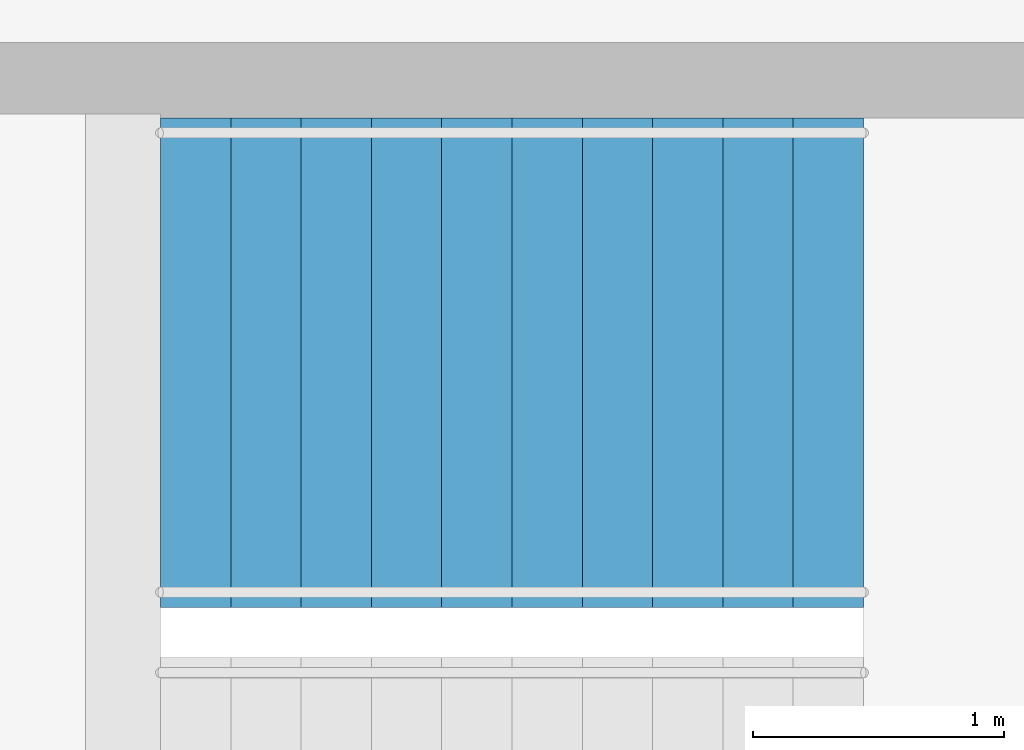
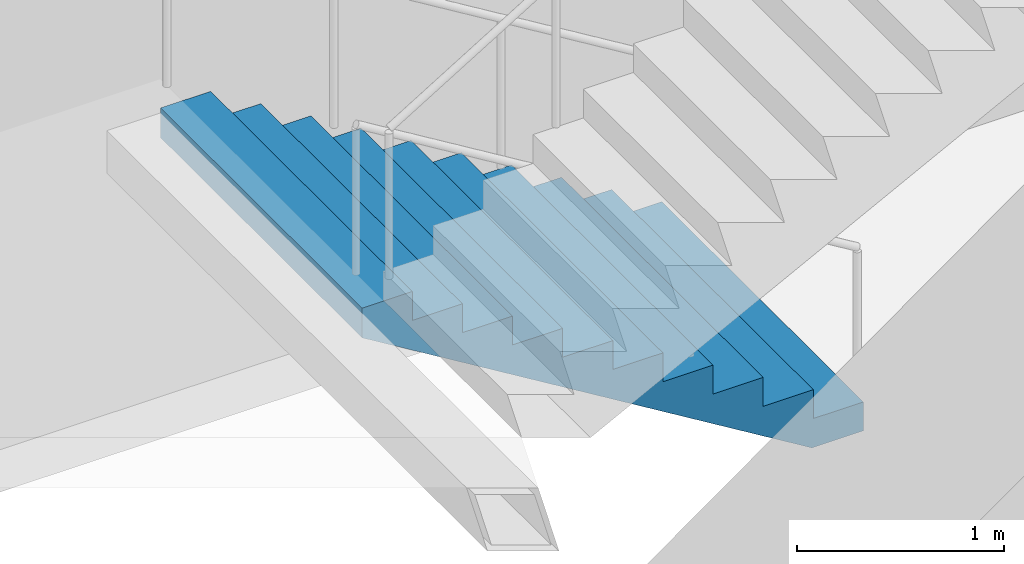
# One storey, part 22 of 23: 1 stair flight, 1 element without a shape of its own.
"""IFC4 building model written with IfcOpenShell, lengths in metres."""

from ifc_helpers import new_model, si_unit, direction, frame, origin, place, context, subcontext, project, spatial, triangles, material, type_object, element, aggregate, save


model = new_model("IFC4")

# Units and contexts
model_context = context("Model", 3, precision=1e-05, world=origin(), true_north=direction((0.0, 1.0)))
body_context = subcontext(model_context, "Body", "Model", "MODEL_VIEW")
ifc_project = project(units=[si_unit("LENGTHUNIT", "METRE"), si_unit("AREAUNIT", "SQUARE_METRE"), si_unit("VOLUMEUNIT", "CUBIC_METRE"), si_unit("PLANEANGLEUNIT", "RADIAN"), si_unit("MASSUNIT", "GRAM", prefix="KILO")], contexts=[model_context])

# Site, building, storey
site_placement = place(None, origin())
site = spatial("IfcSite", under=ifc_project, at=site_placement, CompositionType="ELEMENT")
building_placement = place(site_placement, origin())
building = spatial("IfcBuilding", under=site, at=building_placement, Name="Orbita Commons", CompositionType="ELEMENT")
storey_placement = place(building_placement, frame((0.0, 0.0, 220.300048828125)))
storey = spatial("IfcBuildingStorey", under=building, at=storey_placement, Name="L54", CompositionType="ELEMENT", Elevation=220.300048828125)

# Stair, stair flight
ifc_material_1 = material(Name="Precast concrete C40/50", Category="concrete")
stair_type = type_object("IfcStairType", Name="Exit stair S2 2 flights 11 risers 170", PredefinedType="HALF_TURN_STAIR", material=ifc_material_1)
stair_placement = place(storey_placement, origin())
stair = element("IfcStair", 1, at=stair_placement, inside=storey, type_object=stair_type, Name="Exit stair S2 L54", PredefinedType="HALF_TURN_STAIR")
ifc_material_2 = material(Name="Precast concrete C40/50", Category="concrete")
stair_flight_type = type_object("IfcStairFlightType", Name="Stair flight 11 risers 170 x 280", PredefinedType="STRAIGHT", material=ifc_material_2)
stair_flight_placement = place(storey_placement, frame((63.550048828125, 29.27490234375, 0.0), z_axis=(0.0, 0.0, 1.0), x_axis=(-1.0, 0.0, 0.0)))
stair_flight = element("IfcStairFlight", 2, at=stair_flight_placement, type_object=stair_flight_type, Name="S2 flight 1", NumberOfRisers=11, NumberOfTreads=10, PredefinedType="STRAIGHT", RiserHeight=0.170454545, TreadLength=0.28, context=body_context, shape_type="Tessellation", body=[
    triangles([(0.0, 0.974976, 0.0), (0.0, 0.974976, 0.021307), (0.0, 0.81248, 0.021307), (0.0, 0.81248, 0.0), (0.0, 0.649984, 0.021307), (0.0, 0.649984, 0.0), (0.0, 0.487488, 0.021307), (0.0, 0.487488, 0.0), (0.0, 0.324992, 0.021307), (0.0, 0.324992, 0.0), (0.0, 0.162496, 0.021307), (0.0, 0.162496, 0.0), (0.0, 0.0, 0.021307), (0.0, 0.0, 0.0), (0.0, -0.162496, 0.021307), (0.0, -0.162496, 0.0), (0.0, -0.324992, 0.021307), (0.0, -0.324992, 0.0), (0.0, -0.487488, 0.021307), (0.0, -0.487488, 0.0), (0.0, -0.649984, 0.021307), (0.0, -0.649984, 0.0), (0.0, -0.81248, 0.021307), (0.0, -0.81248, 0.0), (0.0, -0.974976, 0.021307), (0.0, -0.974976, 0.0), (0.0, 0.974976, 0.042614), (0.0, 0.81248, 0.042614), (0.0, 0.649984, 0.042614), (0.0, 0.487488, 0.042614), (0.0, 0.324992, 0.042614), (0.0, 0.162496, 0.042614), (0.0, 0.0, 0.042614), (0.0, -0.162496, 0.042614), (0.0, -0.324992, 0.042614), (0.0, -0.487488, 0.042614), (0.0, -0.649984, 0.042614), (0.0, -0.81248, 0.042614), (0.0, -0.974976, 0.042614), (0.0, 0.974976, 0.06392), (0.0, 0.81248, 0.06392), (0.0, 0.649984, 0.06392), (0.0, 0.487488, 0.06392), (0.0, 0.324992, 0.06392), (0.0, 0.162496, 0.06392), (0.0, 0.0, 0.06392), (0.0, -0.162496, 0.06392), (0.0, -0.324992, 0.06392), (0.0, -0.487488, 0.06392), (0.0, -0.649984, 0.06392), (0.0, -0.81248, 0.06392), (0.0, -0.974976, 0.06392), (0.0, 0.974976, 0.085227), (0.0, 0.81248, 0.085227), (0.0, 0.649984, 0.085227), (0.0, 0.487488, 0.085227), (0.0, 0.324992, 0.085227), (0.0, 0.162496, 0.085227), (0.0, 0.0, 0.085227), (0.0, -0.162496, 0.085227), (0.0, -0.324992, 0.085227), (0.0, -0.487488, 0.085227), (0.0, -0.649984, 0.085227), (0.0, -0.81248, 0.085227), (0.0, -0.974976, 0.085227), (0.0, 0.974976, 0.106534), (0.0, 0.81248, 0.106534), (0.0, 0.649984, 0.106534), (0.0, 0.487488, 0.106534), (0.0, 0.324992, 0.106534), (0.0, 0.162496, 0.106534), (0.0, 0.0, 0.106534), (0.0, -0.162496, 0.106534), (0.0, -0.324992, 0.106534), (0.0, -0.487488, 0.106534), (0.0, -0.649984, 0.106534), (0.0, -0.81248, 0.106534), (0.0, -0.974976, 0.106534), (0.0, 0.974976, 0.127841), (0.0, 0.81248, 0.127841), (0.0, 0.649984, 0.127841), (0.0, 0.487488, 0.127841), (0.0, 0.324992, 0.127841), (0.0, 0.162496, 0.127841), (0.0, 0.0, 0.127841), (0.0, -0.162496, 0.127841), (0.0, -0.324992, 0.127841), (0.0, -0.487488, 0.127841), (0.0, -0.649984, 0.127841), (0.0, -0.81248, 0.127841), (0.0, -0.974976, 0.127841), (0.0, 0.974976, 0.149148), (0.0, 0.81248, 0.149148), (0.0, 0.649984, 0.149148), (0.0, 0.487488, 0.149148), (0.0, 0.324992, 0.149148), (0.0, 0.162496, 0.149148), (0.0, 0.0, 0.149148), (0.0, -0.162496, 0.149148), (0.0, -0.324992, 0.149148), (0.0, -0.487488, 0.149148), (0.0, -0.649984, 0.149148), (0.0, -0.81248, 0.149148), (0.0, -0.974976, 0.149148), (0.0, 0.974976, 0.170455), (0.0, 0.81248, 0.170455), (0.0, 0.649984, 0.170455), (0.0, 0.487488, 0.170455), (0.0, 0.324992, 0.170455), (0.0, 0.162496, 0.170455), (0.0, 0.0, 0.170455), (0.0, -0.162496, 0.170455), (0.0, -0.324992, 0.170455), (0.0, -0.487488, 0.170455), (0.0, -0.649984, 0.170455), (0.0, -0.81248, 0.170455), (0.0, -0.974976, 0.170455), (0.28, 0.974976, 0.170455), (0.28, 0.81248, 0.170455), (0.28, 0.649984, 0.170455), (0.28, 0.487488, 0.170455), (0.28, 0.324992, 0.170455), (0.28, 0.162496, 0.170455), (0.28, 0.0, 0.170455), (0.28, -0.162496, 0.170455), (0.28, -0.324992, 0.170455), (0.28, -0.487488, 0.170455), (0.28, -0.649984, 0.170455), (0.28, -0.81248, 0.170455), (0.28, -0.974976, 0.170455), (0.28, 0.974976, 0.340909), (0.28, 0.81248, 0.340909), (0.28, 0.649984, 0.340909), (0.28, 0.487488, 0.340909), (0.28, 0.324992, 0.340909), (0.28, 0.162496, 0.340909), (0.28, 0.0, 0.340909), (0.28, -0.162496, 0.340909), (0.28, -0.324992, 0.340909), (0.28, -0.487488, 0.340909), (0.28, -0.649984, 0.340909), (0.28, -0.81248, 0.340909), (0.28, -0.974976, 0.340909), (0.56, 0.974976, 0.340909), (0.56, 0.81248, 0.340909), (0.56, 0.649984, 0.340909), (0.56, 0.487488, 0.340909), (0.56, 0.324992, 0.340909), (0.56, 0.162496, 0.340909), (0.56, 0.0, 0.340909), (0.56, -0.162496, 0.340909), (0.56, -0.324992, 0.340909), (0.56, -0.487488, 0.340909), (0.56, -0.649984, 0.340909), (0.56, -0.81248, 0.340909), (0.56, -0.974976, 0.340909), (0.56, 0.974976, 0.511364), (0.56, 0.81248, 0.511364), (0.56, 0.649984, 0.511364), (0.56, 0.487488, 0.511364), (0.56, 0.324992, 0.511364), (0.56, 0.162496, 0.511364), (0.56, 0.0, 0.511364), (0.56, -0.162496, 0.511364), (0.56, -0.324992, 0.511364), (0.56, -0.487488, 0.511364), (0.56, -0.649984, 0.511364), (0.56, -0.81248, 0.511364), (0.56, -0.974976, 0.511364), (0.84, 0.974976, 0.511364), (0.84, 0.81248, 0.511364), (0.84, 0.649984, 0.511364), (0.84, 0.487488, 0.511364), (0.84, 0.324992, 0.511364), (0.84, 0.162496, 0.511364), (0.84, 0.0, 0.511364), (0.84, -0.162496, 0.511364), (0.84, -0.324992, 0.511364), (0.84, -0.487488, 0.511364), (0.84, -0.649984, 0.511364), (0.84, -0.81248, 0.511364), (0.84, -0.974976, 0.511364), (0.84, 0.974976, 0.681818), (0.84, 0.81248, 0.681818), (0.84, 0.649984, 0.681818), (0.84, 0.487488, 0.681818), (0.84, 0.324992, 0.681818), (0.84, 0.162496, 0.681818), (0.84, 0.0, 0.681818), (0.84, -0.162496, 0.681818), (0.84, -0.324992, 0.681818), (0.84, -0.487488, 0.681818), (0.84, -0.649984, 0.681818), (0.84, -0.81248, 0.681818), (0.84, -0.974976, 0.681818), (1.12, 0.974976, 0.681818), (1.12, 0.81248, 0.681818), (1.12, 0.649984, 0.681818), (1.12, 0.487488, 0.681818), (1.12, 0.324992, 0.681818), (1.12, 0.162496, 0.681818), (1.12, 0.0, 0.681818), (1.12, -0.162496, 0.681818), (1.12, -0.324992, 0.681818), (1.12, -0.487488, 0.681818), (1.12, -0.649984, 0.681818), (1.12, -0.81248, 0.681818), (1.12, -0.974976, 0.681818), (1.12, 0.974976, 0.852273), (1.12, 0.81248, 0.852273), (1.12, 0.649984, 0.852273), (1.12, 0.487488, 0.852273), (1.12, 0.324992, 0.852273), (1.12, 0.162496, 0.852273), (1.12, 0.0, 0.852273), (1.12, -0.162496, 0.852273), (1.12, -0.324992, 0.852273), (1.12, -0.487488, 0.852273), (1.12, -0.649984, 0.852273), (1.12, -0.81248, 0.852273), (1.12, -0.974976, 0.852273), (1.4, 0.974976, 0.852273), (1.4, 0.81248, 0.852273), (1.4, 0.649984, 0.852273), (1.4, 0.487488, 0.852273), (1.4, 0.324992, 0.852273), (1.4, 0.162496, 0.852273), (1.4, 0.0, 0.852273), (1.4, -0.162496, 0.852273), (1.4, -0.324992, 0.852273), (1.4, -0.487488, 0.852273), (1.4, -0.649984, 0.852273), (1.4, -0.81248, 0.852273), (1.4, -0.974976, 0.852273), (1.4, 0.974976, 1.022727), (1.4, 0.81248, 1.022727), (1.4, 0.649984, 1.022727), (1.4, 0.487488, 1.022727), (1.4, 0.324992, 1.022727), (1.4, 0.162496, 1.022727), (1.4, 0.0, 1.022727), (1.4, -0.162496, 1.022727), (1.4, -0.324992, 1.022727), (1.4, -0.487488, 1.022727), (1.4, -0.649984, 1.022727), (1.4, -0.81248, 1.022727), (1.4, -0.974976, 1.022727), (1.68, 0.974976, 1.022727), (1.68, 0.81248, 1.022727), (1.68, 0.649984, 1.022727), (1.68, 0.487488, 1.022727), (1.68, 0.324992, 1.022727), (1.68, 0.162496, 1.022727), (1.68, 0.0, 1.022727), (1.68, -0.162496, 1.022727), (1.68, -0.324992, 1.022727), (1.68, -0.487488, 1.022727), (1.68, -0.649984, 1.022727), (1.68, -0.81248, 1.022727), (1.68, -0.974976, 1.022727), (1.68, 0.974976, 1.193182), (1.68, 0.81248, 1.193182), (1.68, 0.649984, 1.193182), (1.68, 0.487488, 1.193182), (1.68, 0.324992, 1.193182), (1.68, 0.162496, 1.193182), (1.68, 0.0, 1.193182), (1.68, -0.162496, 1.193182), (1.68, -0.324992, 1.193182), (1.68, -0.487488, 1.193182), (1.68, -0.649984, 1.193182), (1.68, -0.81248, 1.193182), (1.68, -0.974976, 1.193182), (1.96, 0.974976, 1.193182), (1.96, 0.81248, 1.193182), (1.96, 0.649984, 1.193182), (1.96, 0.487488, 1.193182), (1.96, 0.324992, 1.193182), (1.96, 0.162496, 1.193182), (1.96, 0.0, 1.193182), (1.96, -0.162496, 1.193182), (1.96, -0.324992, 1.193182), (1.96, -0.487488, 1.193182), (1.96, -0.649984, 1.193182), (1.96, -0.81248, 1.193182), (1.96, -0.974976, 1.193182), (1.96, 0.974976, 1.363636), (1.96, 0.81248, 1.363636), (1.96, 0.649984, 1.363636), (1.96, 0.487488, 1.363636), (1.96, 0.324992, 1.363636), (1.96, 0.162496, 1.363636), (1.96, 0.0, 1.363636), (1.96, -0.162496, 1.363636), (1.96, -0.324992, 1.363636), (1.96, -0.487488, 1.363636), (1.96, -0.649984, 1.363636), (1.96, -0.81248, 1.363636), (1.96, -0.974976, 1.363636), (2.24, 0.974976, 1.363636), (2.24, 0.81248, 1.363636), (2.24, 0.649984, 1.363636), (2.24, 0.487488, 1.363636), (2.24, 0.324992, 1.363636), (2.24, 0.162496, 1.363636), (2.24, 0.0, 1.363636), (2.24, -0.162496, 1.363636), (2.24, -0.324992, 1.363636), (2.24, -0.487488, 1.363636), (2.24, -0.649984, 1.363636), (2.24, -0.81248, 1.363636), (2.24, -0.974976, 1.363636), (2.24, 0.974976, 1.534091), (2.24, 0.81248, 1.534091), (2.24, 0.649984, 1.534091), (2.24, 0.487488, 1.534091), (2.24, 0.324992, 1.534091), (2.24, 0.162496, 1.534091), (2.24, 0.0, 1.534091), (2.24, -0.162496, 1.534091), (2.24, -0.324992, 1.534091), (2.24, -0.487488, 1.534091), (2.24, -0.649984, 1.534091), (2.24, -0.81248, 1.534091), (2.24, -0.974976, 1.534091), (2.52, 0.974976, 1.534091), (2.52, 0.81248, 1.534091), (2.52, 0.649984, 1.534091), (2.52, 0.487488, 1.534091), (2.52, 0.324992, 1.534091), (2.52, 0.162496, 1.534091), (2.52, 0.0, 1.534091), (2.52, -0.162496, 1.534091), (2.52, -0.324992, 1.534091), (2.52, -0.487488, 1.534091), (2.52, -0.649984, 1.534091), (2.52, -0.81248, 1.534091), (2.52, -0.974976, 1.534091), (2.52, 0.974976, 1.704545), (2.52, 0.81248, 1.704545), (2.52, 0.649984, 1.704545), (2.52, 0.487488, 1.704545), (2.52, 0.324992, 1.704545), (2.52, 0.162496, 1.704545), (2.52, 0.0, 1.704545), (2.52, -0.162496, 1.704545), (2.52, -0.324992, 1.704545), (2.52, -0.487488, 1.704545), (2.52, -0.649984, 1.704545), (2.52, -0.81248, 1.704545), (2.52, -0.974976, 1.704545), (2.8, 0.974976, 1.704545), (2.8, 0.81248, 1.704545), (2.8, 0.649984, 1.704545), (2.8, 0.487488, 1.704545), (2.8, 0.324992, 1.704545), (2.8, 0.162496, 1.704545), (2.8, 0.0, 1.704545), (2.8, -0.162496, 1.704545), (2.8, -0.324992, 1.704545), (2.8, -0.487488, 1.704545), (2.8, -0.649984, 1.704545), (2.8, -0.81248, 1.704545), (2.8, -0.974976, 1.704545), (2.8, 0.974976, 1.682609), (2.8, 0.81248, 1.682609), (2.8, 0.649984, 1.682609), (2.8, 0.487488, 1.682609), (2.8, 0.324992, 1.682609), (2.8, 0.162496, 1.682609), (2.8, 0.0, 1.682609), (2.8, -0.162496, 1.682609), (2.8, -0.324992, 1.682609), (2.8, -0.487488, 1.682609), (2.8, -0.649984, 1.682609), (2.8, -0.81248, 1.682609), (2.8, -0.974976, 1.682609), (2.8, 0.974976, 1.660672), (2.8, 0.81248, 1.660672), (2.8, 0.649984, 1.660672), (2.8, 0.487488, 1.660672), (2.8, 0.324992, 1.660672), (2.8, 0.162496, 1.660672), (2.8, 0.0, 1.660672), (2.8, -0.162496, 1.660672), (2.8, -0.324992, 1.660672), (2.8, -0.487488, 1.660672), (2.8, -0.649984, 1.660672), (2.8, -0.81248, 1.660672), (2.8, -0.974976, 1.660672), (2.8, 0.974976, 1.638735), (2.8, 0.81248, 1.638735), (2.8, 0.649984, 1.638735), (2.8, 0.487488, 1.638735), (2.8, 0.324992, 1.638735), (2.8, 0.162496, 1.638735), (2.8, 0.0, 1.638735), (2.8, -0.162496, 1.638735), (2.8, -0.324992, 1.638735), (2.8, -0.487488, 1.638735), (2.8, -0.649984, 1.638735), (2.8, -0.81248, 1.638735), (2.8, -0.974976, 1.638735), (2.8, 0.974976, 1.616798), (2.8, 0.81248, 1.616798), (2.8, 0.649984, 1.616798), (2.8, 0.487488, 1.616798), (2.8, 0.324992, 1.616798), (2.8, 0.162496, 1.616798), (2.8, 0.0, 1.616798), (2.8, -0.162496, 1.616798), (2.8, -0.324992, 1.616798), (2.8, -0.487488, 1.616798), (2.8, -0.649984, 1.616798), (2.8, -0.81248, 1.616798), (2.8, -0.974976, 1.616798), (2.8, 0.974976, 1.594861), (2.8, 0.81248, 1.594861), (2.8, 0.649984, 1.594861), (2.8, 0.487488, 1.594861), (2.8, 0.324992, 1.594861), (2.8, 0.162496, 1.594861), (2.8, 0.0, 1.594861), (2.8, -0.162496, 1.594861), (2.8, -0.324992, 1.594861), (2.8, -0.487488, 1.594861), (2.8, -0.649984, 1.594861), (2.8, -0.81248, 1.594861), (2.8, -0.974976, 1.594861), (2.8, 0.974976, 1.572925), (2.8, 0.81248, 1.572925), (2.8, 0.649984, 1.572925), (2.8, 0.487488, 1.572925), (2.8, 0.324992, 1.572925), (2.8, 0.162496, 1.572925), (2.8, 0.0, 1.572925), (2.8, -0.162496, 1.572925), (2.8, -0.324992, 1.572925), (2.8, -0.487488, 1.572925), (2.8, -0.649984, 1.572925), (2.8, -0.81248, 1.572925), (2.8, -0.974976, 1.572925), (2.8, 0.974976, 1.550988), (2.8, 0.81248, 1.550988), (2.8, 0.649984, 1.550988), (2.8, 0.487488, 1.550988), (2.8, 0.324992, 1.550988), (2.8, 0.162496, 1.550988), (2.8, 0.0, 1.550988), (2.8, -0.162496, 1.550988), (2.8, -0.324992, 1.550988), (2.8, -0.487488, 1.550988), (2.8, -0.649984, 1.550988), (2.8, -0.81248, 1.550988), (2.8, -0.974976, 1.550988), (2.8, 0.974976, 1.529051), (2.8, 0.81248, 1.529051), (2.8, 0.649984, 1.529051), (2.8, 0.487488, 1.529051), (2.8, 0.324992, 1.529051), (2.8, 0.162496, 1.529051), (2.8, 0.0, 1.529051), (2.8, -0.162496, 1.529051), (2.8, -0.324992, 1.529051), (2.8, -0.487488, 1.529051), (2.8, -0.649984, 1.529051), (2.8, -0.81248, 1.529051), (2.8, -0.974976, 1.529051), (0.288279, 0.974976, 0.0), (0.288279, 0.81248, 0.0), (0.288279, 0.649984, 0.0), (0.288279, 0.487488, 0.0), (0.288279, 0.324992, 0.0), (0.288279, 0.162496, 0.0), (0.288279, 0.0, 0.0), (0.288279, -0.162496, 0.0), (0.288279, -0.324992, 0.0), (0.288279, -0.487488, 0.0), (0.288279, -0.649984, 0.0), (0.288279, -0.81248, 0.0), (0.288279, -0.974976, 0.0)], [[3, 2, 1], [4, 3, 1], [5, 3, 4], [6, 5, 4], [7, 5, 6], [8, 7, 6], [9, 7, 8], [10, 9, 8], [11, 9, 10], [12, 11, 10], [13, 11, 12], [14, 13, 12], [15, 13, 14], [16, 15, 14], [17, 15, 16], [18, 17, 16], [19, 17, 18], [20, 19, 18], [21, 19, 20], [22, 21, 20], [23, 21, 22], [24, 23, 22], [25, 23, 24], [26, 25, 24], [28, 27, 2], [3, 28, 2], [29, 28, 3], [5, 29, 3], [30, 29, 5], [7, 30, 5], [31, 30, 7], [9, 31, 7], [32, 31, 9], [11, 32, 9], [33, 32, 11], [13, 33, 11], [34, 33, 13], [15, 34, 13], [35, 34, 15], [17, 35, 15], [36, 35, 17], [19, 36, 17], [37, 36, 19], [21, 37, 19], [38, 37, 21], [23, 38, 21], [39, 38, 23], [25, 39, 23], [41, 40, 27], [28, 41, 27], [42, 41, 28], [29, 42, 28], [43, 42, 29], [30, 43, 29], [44, 43, 30], [31, 44, 30], [45, 44, 31], [32, 45, 31], [46, 45, 32], [33, 46, 32], [47, 46, 33], [34, 47, 33], [48, 47, 34], [35, 48, 34], [49, 48, 35], [36, 49, 35], [50, 49, 36], [37, 50, 36], [51, 50, 37], [38, 51, 37], [52, 51, 38], [39, 52, 38], [54, 53, 40], [41, 54, 40], [55, 54, 41], [42, 55, 41], [56, 55, 42], [43, 56, 42], [57, 56, 43], [44, 57, 43], [58, 57, 44], [45, 58, 44], [59, 58, 45], [46, 59, 45], [60, 59, 46], [47, 60, 46], [61, 60, 47], [48, 61, 47], [62, 61, 48], [49, 62, 48], [63, 62, 49], [50, 63, 49], [64, 63, 50], [51, 64, 50], [65, 64, 51], [52, 65, 51], [67, 66, 53], [54, 67, 53], [68, 67, 54], [55, 68, 54], [69, 68, 55], [56, 69, 55], [70, 69, 56], [57, 70, 56], [71, 70, 57], [58, 71, 57], [72, 71, 58], [59, 72, 58], [73, 72, 59], [60, 73, 59], [74, 73, 60], [61, 74, 60], [75, 74, 61], [62, 75, 61], [76, 75, 62], [63, 76, 62], [77, 76, 63], [64, 77, 63], [78, 77, 64], [65, 78, 64], [80, 79, 66], [67, 80, 66], [81, 80, 67], [68, 81, 67], [82, 81, 68], [69, 82, 68], [83, 82, 69], [70, 83, 69], [84, 83, 70], [71, 84, 70], [85, 84, 71], [72, 85, 71], [86, 85, 72], [73, 86, 72], [87, 86, 73], [74, 87, 73], [88, 87, 74], [75, 88, 74], [89, 88, 75], [76, 89, 75], [90, 89, 76], [77, 90, 76], [91, 90, 77], [78, 91, 77], [93, 92, 79], [80, 93, 79], [94, 93, 80], [81, 94, 80], [95, 94, 81], [82, 95, 81], [96, 95, 82], [83, 96, 82], [97, 96, 83], [84, 97, 83], [98, 97, 84], [85, 98, 84], [99, 98, 85], [86, 99, 85], [100, 99, 86], [87, 100, 86], [101, 100, 87], [88, 101, 87], [102, 101, 88], [89, 102, 88], [103, 102, 89], [90, 103, 89], [104, 103, 90], [91, 104, 90], [106, 105, 92], [93, 106, 92], [107, 106, 93], [94, 107, 93], [108, 107, 94], [95, 108, 94], [109, 108, 95], [96, 109, 95], [110, 109, 96], [97, 110, 96], [111, 110, 97], [98, 111, 97], [112, 111, 98], [99, 112, 98], [113, 112, 99], [100, 113, 99], [114, 113, 100], [101, 114, 100], [115, 114, 101], [102, 115, 101], [116, 115, 102], [103, 116, 102], [117, 116, 103], [104, 117, 103], [119, 118, 105], [106, 119, 105], [120, 119, 106], [107, 120, 106], [121, 120, 107], [108, 121, 107], [122, 121, 108], [109, 122, 108], [123, 122, 109], [110, 123, 109], [124, 123, 110], [111, 124, 110], [125, 124, 111], [112, 125, 111], [126, 125, 112], [113, 126, 112], [127, 126, 113], [114, 127, 113], [128, 127, 114], [115, 128, 114], [129, 128, 115], [116, 129, 115], [130, 129, 116], [117, 130, 116], [132, 131, 118], [119, 132, 118], [133, 132, 119], [120, 133, 119], [134, 133, 120], [121, 134, 120], [135, 134, 121], [122, 135, 121], [136, 135, 122], [123, 136, 122], [137, 136, 123], [124, 137, 123], [138, 137, 124], [125, 138, 124], [139, 138, 125], [126, 139, 125], [140, 139, 126], [127, 140, 126], [141, 140, 127], [128, 141, 127], [142, 141, 128], [129, 142, 128], [143, 142, 129], [130, 143, 129], [145, 144, 131], [132, 145, 131], [146, 145, 132], [133, 146, 132], [147, 146, 133], [134, 147, 133], [148, 147, 134], [135, 148, 134], [149, 148, 135], [136, 149, 135], [150, 149, 136], [137, 150, 136], [151, 150, 137], [138, 151, 137], [152, 151, 138], [139, 152, 138], [153, 152, 139], [140, 153, 139], [154, 153, 140], [141, 154, 140], [155, 154, 141], [142, 155, 141], [156, 155, 142], [143, 156, 142], [158, 157, 144], [145, 158, 144], [159, 158, 145], [146, 159, 145], [160, 159, 146], [147, 160, 146], [161, 160, 147], [148, 161, 147], [162, 161, 148], [149, 162, 148], [163, 162, 149], [150, 163, 149], [164, 163, 150], [151, 164, 150], [165, 164, 151], [152, 165, 151], [166, 165, 152], [153, 166, 152], [167, 166, 153], [154, 167, 153], [168, 167, 154], [155, 168, 154], [169, 168, 155], [156, 169, 155], [171, 170, 157], [158, 171, 157], [172, 171, 158], [159, 172, 158], [173, 172, 159], [160, 173, 159], [174, 173, 160], [161, 174, 160], [175, 174, 161], [162, 175, 161], [176, 175, 162], [163, 176, 162], [177, 176, 163], [164, 177, 163], [178, 177, 164], [165, 178, 164], [179, 178, 165], [166, 179, 165], [180, 179, 166], [167, 180, 166], [181, 180, 167], [168, 181, 167], [182, 181, 168], [169, 182, 168], [184, 183, 170], [171, 184, 170], [185, 184, 171], [172, 185, 171], [186, 185, 172], [173, 186, 172], [187, 186, 173], [174, 187, 173], [188, 187, 174], [175, 188, 174], [189, 188, 175], [176, 189, 175], [190, 189, 176], [177, 190, 176], [191, 190, 177], [178, 191, 177], [192, 191, 178], [179, 192, 178], [193, 192, 179], [180, 193, 179], [194, 193, 180], [181, 194, 180], [195, 194, 181], [182, 195, 181], [197, 196, 183], [184, 197, 183], [198, 197, 184], [185, 198, 184], [199, 198, 185], [186, 199, 185], [200, 199, 186], [187, 200, 186], [201, 200, 187], [188, 201, 187], [202, 201, 188], [189, 202, 188], [203, 202, 189], [190, 203, 189], [204, 203, 190], [191, 204, 190], [205, 204, 191], [192, 205, 191], [206, 205, 192], [193, 206, 192], [207, 206, 193], [194, 207, 193], [208, 207, 194], [195, 208, 194], [210, 209, 196], [197, 210, 196], [211, 210, 197], [198, 211, 197], [212, 211, 198], [199, 212, 198], [213, 212, 199], [200, 213, 199], [214, 213, 200], [201, 214, 200], [215, 214, 201], [202, 215, 201], [216, 215, 202], [203, 216, 202], [217, 216, 203], [204, 217, 203], [218, 217, 204], [205, 218, 204], [219, 218, 205], [206, 219, 205], [220, 219, 206], [207, 220, 206], [221, 220, 207], [208, 221, 207], [223, 222, 209], [210, 223, 209], [224, 223, 210], [211, 224, 210], [225, 224, 211], [212, 225, 211], [226, 225, 212], [213, 226, 212], [227, 226, 213], [214, 227, 213], [228, 227, 214], [215, 228, 214], [229, 228, 215], [216, 229, 215], [230, 229, 216], [217, 230, 216], [231, 230, 217], [218, 231, 217], [232, 231, 218], [219, 232, 218], [233, 232, 219], [220, 233, 219], [234, 233, 220], [221, 234, 220], [236, 235, 222], [223, 236, 222], [237, 236, 223], [224, 237, 223], [238, 237, 224], [225, 238, 224], [239, 238, 225], [226, 239, 225], [240, 239, 226], [227, 240, 226], [241, 240, 227], [228, 241, 227], [242, 241, 228], [229, 242, 228], [243, 242, 229], [230, 243, 229], [244, 243, 230], [231, 244, 230], [245, 244, 231], [232, 245, 231], [246, 245, 232], [233, 246, 232], [247, 246, 233], [234, 247, 233], [249, 248, 235], [236, 249, 235], [250, 249, 236], [237, 250, 236], [251, 250, 237], [238, 251, 237], [252, 251, 238], [239, 252, 238], [253, 252, 239], [240, 253, 239], [254, 253, 240], [241, 254, 240], [255, 254, 241], [242, 255, 241], [256, 255, 242], [243, 256, 242], [257, 256, 243], [244, 257, 243], [258, 257, 244], [245, 258, 244], [259, 258, 245], [246, 259, 245], [260, 259, 246], [247, 260, 246], [262, 261, 248], [249, 262, 248], [263, 262, 249], [250, 263, 249], [264, 263, 250], [251, 264, 250], [265, 264, 251], [252, 265, 251], [266, 265, 252], [253, 266, 252], [267, 266, 253], [254, 267, 253], [268, 267, 254], [255, 268, 254], [269, 268, 255], [256, 269, 255], [270, 269, 256], [257, 270, 256], [271, 270, 257], [258, 271, 257], [272, 271, 258], [259, 272, 258], [273, 272, 259], [260, 273, 259], [275, 274, 261], [262, 275, 261], [276, 275, 262], [263, 276, 262], [277, 276, 263], [264, 277, 263], [278, 277, 264], [265, 278, 264], [279, 278, 265], [266, 279, 265], [280, 279, 266], [267, 280, 266], [281, 280, 267], [268, 281, 267], [282, 281, 268], [269, 282, 268], [283, 282, 269], [270, 283, 269], [284, 283, 270], [271, 284, 270], [285, 284, 271], [272, 285, 271], [286, 285, 272], [273, 286, 272], [288, 287, 274], [275, 288, 274], [289, 288, 275], [276, 289, 275], [290, 289, 276], [277, 290, 276], [291, 290, 277], [278, 291, 277], [292, 291, 278], [279, 292, 278], [293, 292, 279], [280, 293, 279], [294, 293, 280], [281, 294, 280], [295, 294, 281], [282, 295, 281], [296, 295, 282], [283, 296, 282], [297, 296, 283], [284, 297, 283], [298, 297, 284], [285, 298, 284], [299, 298, 285], [286, 299, 285], [301, 300, 287], [288, 301, 287], [302, 301, 288], [289, 302, 288], [303, 302, 289], [290, 303, 289], [304, 303, 290], [291, 304, 290], [305, 304, 291], [292, 305, 291], [306, 305, 292], [293, 306, 292], [307, 306, 293], [294, 307, 293], [308, 307, 294], [295, 308, 294], [309, 308, 295], [296, 309, 295], [310, 309, 296], [297, 310, 296], [311, 310, 297], [298, 311, 297], [312, 311, 298], [299, 312, 298], [314, 313, 300], [301, 314, 300], [315, 314, 301], [302, 315, 301], [316, 315, 302], [303, 316, 302], [317, 316, 303], [304, 317, 303], [318, 317, 304], [305, 318, 304], [319, 318, 305], [306, 319, 305], [320, 319, 306], [307, 320, 306], [321, 320, 307], [308, 321, 307], [322, 321, 308], [309, 322, 308], [323, 322, 309], [310, 323, 309], [324, 323, 310], [311, 324, 310], [325, 324, 311], [312, 325, 311], [327, 326, 313], [314, 327, 313], [328, 327, 314], [315, 328, 314], [329, 328, 315], [316, 329, 315], [330, 329, 316], [317, 330, 316], [331, 330, 317], [318, 331, 317], [332, 331, 318], [319, 332, 318], [333, 332, 319], [320, 333, 319], [334, 333, 320], [321, 334, 320], [335, 334, 321], [322, 335, 321], [336, 335, 322], [323, 336, 322], [337, 336, 323], [324, 337, 323], [338, 337, 324], [325, 338, 324], [340, 339, 326], [327, 340, 326], [341, 340, 327], [328, 341, 327], [342, 341, 328], [329, 342, 328], [343, 342, 329], [330, 343, 329], [344, 343, 330], [331, 344, 330], [345, 344, 331], [332, 345, 331], [346, 345, 332], [333, 346, 332], [347, 346, 333], [334, 347, 333], [348, 347, 334], [335, 348, 334], [349, 348, 335], [336, 349, 335], [350, 349, 336], [337, 350, 336], [351, 350, 337], [338, 351, 337], [353, 352, 339], [340, 353, 339], [354, 353, 340], [341, 354, 340], [355, 354, 341], [342, 355, 341], [356, 355, 342], [343, 356, 342], [357, 356, 343], [344, 357, 343], [358, 357, 344], [345, 358, 344], [359, 358, 345], [346, 359, 345], [360, 359, 346], [347, 360, 346], [361, 360, 347], [348, 361, 347], [362, 361, 348], [349, 362, 348], [363, 362, 349], [350, 363, 349], [364, 363, 350], [351, 364, 350], [366, 365, 352], [353, 366, 352], [367, 366, 353], [354, 367, 353], [368, 367, 354], [355, 368, 354], [369, 368, 355], [356, 369, 355], [370, 369, 356], [357, 370, 356], [371, 370, 357], [358, 371, 357], [372, 371, 358], [359, 372, 358], [373, 372, 359], [360, 373, 359], [374, 373, 360], [361, 374, 360], [375, 374, 361], [362, 375, 361], [376, 375, 362], [363, 376, 362], [377, 376, 363], [364, 377, 363], [379, 378, 365], [366, 379, 365], [380, 379, 366], [367, 380, 366], [381, 380, 367], [368, 381, 367], [382, 381, 368], [369, 382, 368], [383, 382, 369], [370, 383, 369], [384, 383, 370], [371, 384, 370], [385, 384, 371], [372, 385, 371], [386, 385, 372], [373, 386, 372], [387, 386, 373], [374, 387, 373], [388, 387, 374], [375, 388, 374], [389, 388, 375], [376, 389, 375], [390, 389, 376], [377, 390, 376], [392, 391, 378], [379, 392, 378], [393, 392, 379], [380, 393, 379], [394, 393, 380], [381, 394, 380], [395, 394, 381], [382, 395, 381], [396, 395, 382], [383, 396, 382], [397, 396, 383], [384, 397, 383], [398, 397, 384], [385, 398, 384], [399, 398, 385], [386, 399, 385], [400, 399, 386], [387, 400, 386], [401, 400, 387], [388, 401, 387], [402, 401, 388], [389, 402, 388], [403, 402, 389], [390, 403, 389], [405, 404, 391], [392, 405, 391], [406, 405, 392], [393, 406, 392], [407, 406, 393], [394, 407, 393], [408, 407, 394], [395, 408, 394], [409, 408, 395], [396, 409, 395], [410, 409, 396], [397, 410, 396], [411, 410, 397], [398, 411, 397], [412, 411, 398], [399, 412, 398], [413, 412, 399], [400, 413, 399], [414, 413, 400], [401, 414, 400], [415, 414, 401], [402, 415, 401], [416, 415, 402], [403, 416, 402], [418, 417, 404], [405, 418, 404], [419, 418, 405], [406, 419, 405], [420, 419, 406], [407, 420, 406], [421, 420, 407], [408, 421, 407], [422, 421, 408], [409, 422, 408], [423, 422, 409], [410, 423, 409], [424, 423, 410], [411, 424, 410], [425, 424, 411], [412, 425, 411], [426, 425, 412], [413, 426, 412], [427, 426, 413], [414, 427, 413], [428, 427, 414], [415, 428, 414], [429, 428, 415], [416, 429, 415], [431, 430, 417], [418, 431, 417], [432, 431, 418], [419, 432, 418], [433, 432, 419], [420, 433, 419], [434, 433, 420], [421, 434, 420], [435, 434, 421], [422, 435, 421], [436, 435, 422], [423, 436, 422], [437, 436, 423], [424, 437, 423], [438, 437, 424], [425, 438, 424], [439, 438, 425], [426, 439, 425], [440, 439, 426], [427, 440, 426], [441, 440, 427], [428, 441, 427], [442, 441, 428], [429, 442, 428], [444, 443, 430], [431, 444, 430], [445, 444, 431], [432, 445, 431], [446, 445, 432], [433, 446, 432], [447, 446, 433], [434, 447, 433], [448, 447, 434], [435, 448, 434], [449, 448, 435], [436, 449, 435], [450, 449, 436], [437, 450, 436], [451, 450, 437], [438, 451, 437], [452, 451, 438], [439, 452, 438], [453, 452, 439], [440, 453, 439], [454, 453, 440], [441, 454, 440], [455, 454, 441], [442, 455, 441], [457, 456, 443], [444, 457, 443], [458, 457, 444], [445, 458, 444], [459, 458, 445], [446, 459, 445], [460, 459, 446], [447, 460, 446], [461, 460, 447], [448, 461, 447], [462, 461, 448], [449, 462, 448], [463, 462, 449], [450, 463, 449], [464, 463, 450], [451, 464, 450], [465, 464, 451], [452, 465, 451], [466, 465, 452], [453, 466, 452], [467, 466, 453], [454, 467, 453], [468, 467, 454], [455, 468, 454], [470, 469, 456], [457, 470, 456], [471, 470, 457], [458, 471, 457], [472, 471, 458], [459, 472, 458], [473, 472, 459], [460, 473, 459], [474, 473, 460], [461, 474, 460], [475, 474, 461], [462, 475, 461], [476, 475, 462], [463, 476, 462], [477, 476, 463], [464, 477, 463], [478, 477, 464], [465, 478, 464], [479, 478, 465], [466, 479, 465], [480, 479, 466], [467, 480, 466], [481, 480, 467], [468, 481, 467], [4, 1, 469], [470, 4, 469], [6, 4, 470], [471, 6, 470], [8, 6, 471], [472, 8, 471], [10, 8, 472], [473, 10, 472], [12, 10, 473], [474, 12, 473], [14, 12, 474], [475, 14, 474], [16, 14, 475], [476, 16, 475], [18, 16, 476], [477, 18, 476], [20, 18, 477], [478, 20, 477], [22, 20, 478], [479, 22, 478], [24, 22, 479], [480, 24, 479], [26, 24, 480], [481, 26, 480], [456, 469, 1], [26, 481, 468], [443, 456, 1], [26, 468, 455], [430, 443, 1], [26, 455, 442], [417, 430, 1], [26, 442, 429], [404, 417, 1], [26, 429, 416], [391, 404, 1], [26, 416, 403], [378, 391, 1], [26, 403, 390], [365, 378, 1], [26, 390, 377], [339, 352, 365], [377, 364, 351], [326, 339, 365], [377, 351, 338], [300, 313, 326], [338, 325, 312], [300, 326, 365], [377, 338, 312], [274, 287, 300], [312, 299, 286], [274, 300, 365], [377, 312, 286], [248, 261, 274], [286, 273, 260], [248, 274, 365], [377, 286, 260], [222, 235, 248], [260, 247, 234], [222, 248, 365], [377, 260, 234], [196, 209, 222], [234, 221, 208], [196, 222, 365], [377, 234, 208], [170, 183, 196], [208, 195, 182], [170, 196, 365], [377, 208, 182], [144, 157, 170], [182, 169, 156], [144, 170, 365], [377, 182, 156], [118, 131, 144], [156, 143, 130], [118, 144, 365], [377, 156, 130], [118, 365, 1], [26, 377, 130], [92, 105, 118], [130, 117, 104], [79, 92, 118], [130, 104, 91], [66, 79, 118], [130, 91, 78], [53, 66, 118], [130, 78, 65], [40, 53, 118], [130, 65, 52], [27, 40, 118], [130, 52, 39], [2, 27, 118], [130, 39, 25], [1, 2, 118], [130, 25, 26]], closed=True),
])
aggregate(stair, [stair_flight])

save(model, "model.ifc")
